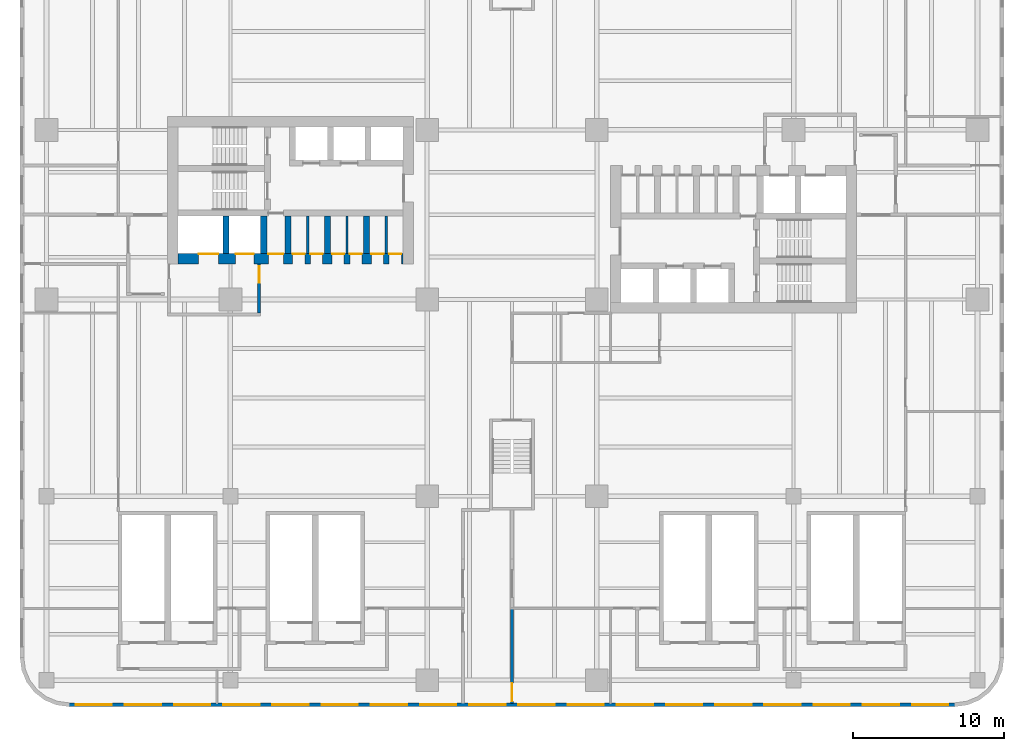
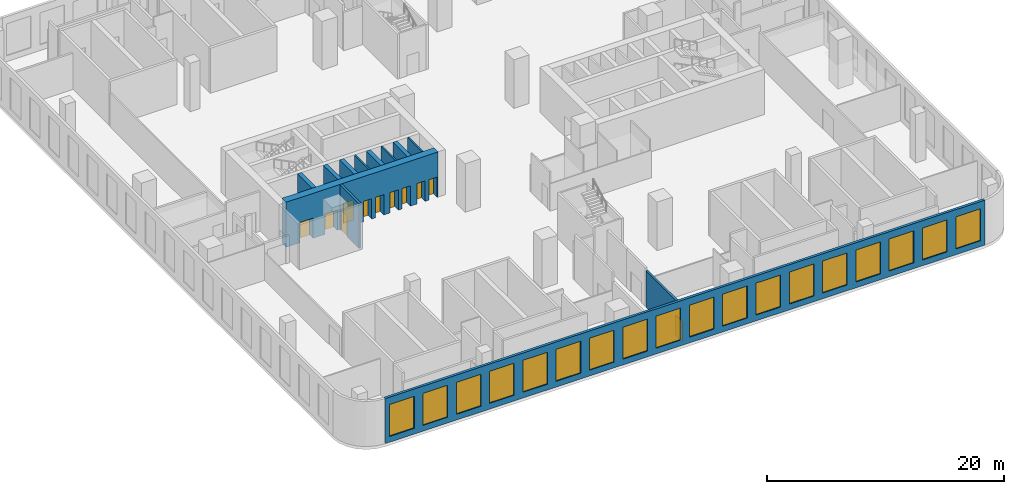
# One storey, part 5 of 13: 18 windows, 12 walls, 11 doors, 29 openings.
"""IFC4 building model written with IfcOpenShell, lengths in metres."""

from ifc_helpers import new_model, si_unit, direction, frame, frame_2d, origin, place, context, subcontext, project, spatial, rectangle, extrude, source, transform, mapped, material, layer, layer_set, type_object, element, fill, save


model = new_model("IFC4")

# Units and contexts
model_context = context("Model", 3, precision=1e-05, world=origin(), true_north=direction((0.0, 1.0)))
body_context = subcontext(model_context, "Body", "Model", "MODEL_VIEW")
ifc_project = project(units=[si_unit("LENGTHUNIT", "METRE"), si_unit("AREAUNIT", "SQUARE_METRE"), si_unit("VOLUMEUNIT", "CUBIC_METRE"), si_unit("PLANEANGLEUNIT", "RADIAN"), si_unit("MASSUNIT", "GRAM", prefix="KILO")], contexts=[model_context])

# Site, building, storey
site_placement = place(None, origin())
site = spatial("IfcSite", under=ifc_project, at=site_placement, CompositionType="ELEMENT")
building_placement = place(site_placement, origin())
building = spatial("IfcBuilding", under=site, at=building_placement, Name="Trellis Farm Tower", CompositionType="ELEMENT")
storey_placement = place(building_placement, frame((0.0, 0.0, 29.0)))
storey = spatial("IfcBuildingStorey", under=building, at=storey_placement, Name="L05", CompositionType="ELEMENT", Elevation=29.0)

# Walls
ifc_material_1 = material(Name="Concrete C80/95", Category="concrete")
ifc_layer_1 = layer(ifc_material_1, 0.39990234375)
ifc_layer_set_1 = layer_set([ifc_layer_1], Name="CORE INNER WALL 400 CONCRETE C80/95")
wall_type_1 = type_object("IfcWallType", Name="CORE INNER WALL 400 CONCRETE C80/95", PredefinedType="SHEAR", material=ifc_layer_set_1)
shared_shape_1 = source(origin(), body_context, "Body", "SweptSolid", [
    extrude(rectangle(XDim=2.449951171875, YDim=0.39990234375, at=frame_2d((1.22509765625, 0.0))), origin(), (0.0, 0.0, 1.0), 4.64990234375),
])
for number, where, z_axis, x_axis, name in (
    (1, (-9.60009765625, -0.10009765625, 0.0), (0.0, 0.0, 1.0), (0.0, -1.0, 0.0), "Core wall"),
    (2, (-12.199951171875, -0.10009765625, 0.0), (0.0, 0.0, 1.0), (0.0, -1.0, 0.0), "Core wall"),
    (3, (-14.800048828125, -0.10009765625, 0.0), (0.0, 0.0, 1.0), (0.0, -1.0, 0.0), "Core wall"),
    (4, (-16.39990234375, -0.10009765625, 0.0), (0.0, 0.0, 1.0), (0.0, -1.0, 0.0), "Core wall"),
    (5, (-18.89990234375, -0.10009765625, 0.0), (0.0, 0.0, 1.0), (0.0, -1.0, 0.0), "Core wall"),
):
    element("IfcWall", number, at=place(storey_placement, frame(where, z_axis=z_axis, x_axis=x_axis)), inside=storey, type_object=wall_type_1, Name=name, PredefinedType="SHEAR", context=body_context, shape_type="MappedRepresentation", body=[
        mapped(shared_shape_1, transform((0.0, 0.0, 0.0))),
    ])

# Wall, opening, door
ifc_material_2 = material(Name="Masonry blockwork", Category="masonry")
ifc_layer_2 = layer(ifc_material_2, 0.199951171875)
ifc_layer_set_2 = layer_set([ifc_layer_2], Name="FIRE LOBBY PARTITION 200 BLOCKWORK")
wall_type_2 = type_object("IfcWallType", Name="FIRE LOBBY PARTITION 200 BLOCKWORK", PredefinedType="PARTITIONING", material=ifc_layer_set_2)
shared_shape_2 = source(origin(), body_context, "Body", "SweptSolid", [
    extrude(rectangle(XDim=3.25, YDim=0.199951171875, at=frame_2d((1.625, 0.0))), origin(), (0.0, 0.0, 1.0), 4.64990234375),
])
wall_1_placement = place(storey_placement, frame((-16.699951171875, -3.25, 0.0), z_axis=(0.0, 0.0, 1.0), x_axis=(0.0, -1.0, 0.0)))
wall_1 = element("IfcWall", 6, at=wall_1_placement, inside=storey, type_object=wall_type_2, Name="Fire-fighting lobby partition", PredefinedType="PARTITIONING", context=body_context, shape_type="MappedRepresentation", body=[
    mapped(shared_shape_2, transform((0.0, 0.0, 0.0))),
])
shared_shape_3 = source(origin(), body_context, "Body", "SweptSolid", [
    extrude(rectangle(XDim=1.10009765625, YDim=2.10009765625, at=frame_2d((0.550048828125, 1.050048828125))), frame((0.0, 0.110107421875, 0.0), z_axis=(0.0, -1.0, 0.0), x_axis=(1.0, 0.0, 0.0)), (0.0, 0.0, 1.0), 0.22021484375),
])
opening_1_placement = place(wall_1_placement, frame((0.14990234375, 0.0, 0.0)))
opening_1 = element("IfcOpeningElement", 7, at=opening_1_placement, cuts=wall_1, Name="Opening DC93", PredefinedType="OPENING", context=body_context, shape_type="MappedRepresentation", body=[
    mapped(shared_shape_3, transform((0.0, 0.0, 0.0))),
])
ifc_material_3 = material(Name="Steel", Category="steel")
door_type_1 = type_object("IfcDoorType", Name="CORE FIRE DOOR 1100 X 2100", OperationType="NOTDEFINED", PredefinedType="DOOR", material=ifc_material_3)
shared_shape_4 = source(origin(), body_context, "Body", "SweptSolid", [
    extrude(rectangle(XDim=1.10009765625, YDim=2.10009765625, at=frame_2d((0.550048828125, 1.050048828125))), frame((0.0, 0.02490234375, 0.0), z_axis=(0.0, -1.0, 0.0), x_axis=(1.0, 0.0, 0.0)), (0.0, 0.0, 1.0), 0.050048828125),
])
door_1_placement = place(opening_1_placement, origin())
door_1 = element("IfcDoor", 8, at=door_1_placement, inside=storey, type_object=door_type_1, Name="Core door", OperationType="SINGLE_SWING_RIGHT", OverallHeight=2.10009765625, OverallWidth=1.10009765625, PredefinedType="DOOR", context=body_context, shape_type="MappedRepresentation", body=[
    mapped(shared_shape_4, transform((0.0, 0.0, 0.0))),
])
fill(opening_1, door_1)

# Walls
ifc_layer_3 = layer(ifc_material_2, 0.14990234375)
ifc_layer_set_3 = layer_set([ifc_layer_3], Name="CORE PARTITION 150 BLOCKWORK")
wall_type_3 = type_object("IfcWallType", Name="CORE PARTITION 150 BLOCKWORK", PredefinedType="PARTITIONING", material=ifc_layer_set_3)
shared_shape_5 = source(origin(), body_context, "Body", "SweptSolid", [
    extrude(rectangle(XDim=2.449951171875, YDim=0.14990234375, at=frame_2d((1.22509765625, 0.0))), origin(), (0.0, 0.0, 1.0), 4.64990234375),
])
for number, where, z_axis, x_axis, name in (
    (9, (-8.300048828125, -0.10009765625, 0.0), (0.0, 0.0, 1.0), (0.0, -1.0, 0.0), "Core room partition"),
    (10, (-10.89990234375, -0.10009765625, 0.0), (0.0, 0.0, 1.0), (0.0, -1.0, 0.0), "Core room partition"),
    (11, (-13.5, -0.10009765625, 0.0), (0.0, 0.0, 1.0), (0.0, -1.0, 0.0), "Core room partition"),
):
    element("IfcWall", number, at=place(storey_placement, frame(where, z_axis=z_axis, x_axis=x_axis)), inside=storey, type_object=wall_type_3, Name=name, PredefinedType="PARTITIONING", context=body_context, shape_type="MappedRepresentation", body=[
        mapped(shared_shape_5, transform((0.0, 0.0, 0.0))),
    ])

# Wall, openings, doors
ifc_layer_4 = layer(ifc_material_1, 0.699951171875)
ifc_layer_set_4 = layer_set([ifc_layer_4], Name="CORE OUTER WALL 700 CONCRETE C80/95")
wall_type_4 = type_object("IfcWallType", Name="CORE OUTER WALL 700 CONCRETE C80/95", PredefinedType="SHEAR", material=ifc_layer_set_4)
shared_shape_6 = source(origin(), body_context, "Body", "SweptSolid", [
    extrude(rectangle(XDim=14.85009765625, YDim=0.699951171875, at=frame_2d((7.425048828125, 0.0))), origin(), (0.0, 0.0, 1.0), 4.64990234375),
])
wall_2_placement = place(storey_placement, frame((-7.199951171875, -2.89990234375, 0.0), z_axis=(0.0, 0.0, 1.0), x_axis=(-1.0, 0.0, 0.0)))
wall_2 = element("IfcWall", 12, at=wall_2_placement, inside=storey, type_object=wall_type_4, Name="Core wall", PredefinedType="SHEAR", context=body_context, shape_type="MappedRepresentation", body=[
    mapped(shared_shape_6, transform((0.0, 0.0, 0.0))),
])
shared_shape_7 = source(origin(), body_context, "Body", "SweptSolid", [
    extrude(rectangle(XDim=1.300048828125, YDim=2.10009765625, at=frame_2d((0.64990234375, 1.050048828125))), frame((0.0, 0.360107421875, 0.0), z_axis=(0.0, -1.0, 0.0), x_axis=(1.0, 0.0, 0.0)), (0.0, 0.0, 1.0), 0.72021484375),
])
opening_2_placement = place(wall_2_placement, frame((12.199951171875, 0.0, 0.0)))
opening_2 = element("IfcOpeningElement", 13, at=opening_2_placement, cuts=wall_2, Name="Opening LD15", PredefinedType="OPENING", context=body_context, shape_type="MappedRepresentation", body=[
    mapped(shared_shape_7, transform((0.0, 0.0, 0.0))),
])
shared_shape_8 = source(origin(), body_context, "Body", "SweptSolid", [
    extrude(rectangle(XDim=1.199951171875, YDim=2.10009765625, at=frame_2d((0.60009765625, 1.050048828125))), frame((0.0, 0.360107421875, 0.0), z_axis=(0.0, -1.0, 0.0), x_axis=(1.0, 0.0, 0.0)), (0.0, 0.0, 1.0), 0.72021484375),
])
opening_3_placement = place(wall_2_placement, frame((9.85009765625, 0.0, 0.0)))
opening_3 = element("IfcOpeningElement", 14, at=opening_3_placement, cuts=wall_2, Name="Opening LD16", PredefinedType="OPENING", context=body_context, shape_type="MappedRepresentation", body=[
    mapped(shared_shape_8, transform((0.0, 0.0, 0.0))),
])
shared_shape_9 = source(origin(), body_context, "Body", "SweptSolid", [
    extrude(rectangle(XDim=1.0, YDim=2.10009765625, at=frame_2d((0.5, 1.050048828125))), frame((0.0, 0.360107421875, 0.0), z_axis=(0.0, -1.0, 0.0), x_axis=(1.0, 0.0, 0.0)), (0.0, 0.0, 1.0), 0.72021484375),
])
opening_4_placement = place(wall_2_placement, frame((7.89990234375, 0.0, 0.0)))
opening_4 = element("IfcOpeningElement", 15, at=opening_4_placement, cuts=wall_2, Name="Opening DC92", PredefinedType="OPENING", context=body_context, shape_type="MappedRepresentation", body=[
    mapped(shared_shape_9, transform((0.0, 0.0, 0.0))),
])
shared_shape_10 = source(origin(), body_context, "Body", "SweptSolid", [
    extrude(rectangle(XDim=0.800048828125, YDim=2.10009765625, at=frame_2d((0.39990234375, 1.050048828125))), frame((0.0, 0.360107421875, 0.0), z_axis=(0.0, -1.0, 0.0), x_axis=(1.0, 0.0, 0.0)), (0.0, 0.0, 1.0), 0.72021484375),
])
opening_5_placement = place(wall_2_placement, frame((0.112548828125, 0.0, 0.0)))
opening_5 = element("IfcOpeningElement", 16, at=opening_5_placement, cuts=wall_2, Name="Opening DC95", PredefinedType="OPENING", context=body_context, shape_type="MappedRepresentation", body=[
    mapped(shared_shape_10, transform((0.0, 0.0, 0.0))),
])
opening_6_placement = place(wall_2_placement, frame((1.28759765625, 0.0, 0.0)))
opening_6 = element("IfcOpeningElement", 17, at=opening_6_placement, cuts=wall_2, Name="Opening DC102", PredefinedType="OPENING", context=body_context, shape_type="MappedRepresentation", body=[
    mapped(shared_shape_10, transform((0.0, 0.0, 0.0))),
])
opening_7_placement = place(wall_2_placement, frame((2.71240234375, 0.0, 0.0)))
opening_7 = element("IfcOpeningElement", 18, at=opening_7_placement, cuts=wall_2, Name="Opening DC107", PredefinedType="OPENING", context=body_context, shape_type="MappedRepresentation", body=[
    mapped(shared_shape_10, transform((0.0, 0.0, 0.0))),
])
opening_8_placement = place(wall_2_placement, frame((3.887451171875, 0.0, 0.0)))
opening_8 = element("IfcOpeningElement", 19, at=opening_8_placement, cuts=wall_2, Name="Opening DC114", PredefinedType="OPENING", context=body_context, shape_type="MappedRepresentation", body=[
    mapped(shared_shape_10, transform((0.0, 0.0, 0.0))),
])
opening_9_placement = place(wall_2_placement, frame((5.3125, 0.0, 0.0)))
opening_9 = element("IfcOpeningElement", 20, at=opening_9_placement, cuts=wall_2, Name="Opening DC119", PredefinedType="OPENING", context=body_context, shape_type="MappedRepresentation", body=[
    mapped(shared_shape_10, transform((0.0, 0.0, 0.0))),
])
opening_10_placement = place(wall_2_placement, frame((6.487548828125, 0.0, 0.0)))
opening_10 = element("IfcOpeningElement", 21, at=opening_10_placement, cuts=wall_2, Name="Opening DC126", PredefinedType="OPENING", context=body_context, shape_type="MappedRepresentation", body=[
    mapped(shared_shape_10, transform((0.0, 0.0, 0.0))),
])
door_type_2 = type_object("IfcDoorType", Name="CORE FIRE DOOR 1000 X 2100", OperationType="NOTDEFINED", PredefinedType="DOOR", material=ifc_material_3)
shared_shape_11 = source(origin(), body_context, "Body", "SweptSolid", [
    extrude(rectangle(XDim=1.0, YDim=2.10009765625, at=frame_2d((0.5, 1.050048828125))), frame((0.0, -0.27490234375, 0.0), z_axis=(0.0, -1.0, 0.0), x_axis=(1.0, 0.0, 0.0)), (0.0, 0.0, 1.0), 0.050048828125),
])
door_2_placement = place(opening_4_placement, origin())
door_2 = element("IfcDoor", 22, at=door_2_placement, inside=storey, type_object=door_type_2, Name="Core door", OperationType="SINGLE_SWING_LEFT", OverallHeight=2.10009765625, OverallWidth=1.0, PredefinedType="DOOR", context=body_context, shape_type="MappedRepresentation", body=[
    mapped(shared_shape_11, transform((0.0, 0.0, 0.0))),
])
fill(opening_4, door_2)
ifc_material_4 = material(Name="Stainless steel", Category="steel")
door_type_3 = type_object("IfcDoorType", Name="LIFT LANDING DOOR 1300 X 2100", OperationType="DOUBLE_DOOR_SLIDING", PredefinedType="DOOR", material=ifc_material_4)
shared_shape_12 = source(origin(), body_context, "Body", "SweptSolid", [
    extrude(rectangle(XDim=1.300048828125, YDim=2.10009765625, at=frame_2d((0.64990234375, 1.050048828125))), frame((0.0, -0.27490234375, 0.0), z_axis=(0.0, -1.0, 0.0), x_axis=(1.0, 0.0, 0.0)), (0.0, 0.0, 1.0), 0.050048828125),
])
door_3_placement = place(opening_2_placement, origin())
door_3 = element("IfcDoor", 23, at=door_3_placement, inside=storey, type_object=door_type_3, Name="Lift landing door", OperationType="DOUBLE_DOOR_SLIDING", OverallHeight=2.10009765625, OverallWidth=1.300048828125, PredefinedType="DOOR", context=body_context, shape_type="MappedRepresentation", body=[
    mapped(shared_shape_12, transform((0.0, 0.0, 0.0))),
])
fill(opening_2, door_3)
door_type_4 = type_object("IfcDoorType", Name="LIFT LANDING DOOR 1200 X 2100", OperationType="DOUBLE_DOOR_SLIDING", PredefinedType="DOOR", material=ifc_material_4)
shared_shape_13 = source(origin(), body_context, "Body", "SweptSolid", [
    extrude(rectangle(XDim=1.199951171875, YDim=2.10009765625, at=frame_2d((0.60009765625, 1.050048828125))), frame((0.0, -0.27490234375, 0.0), z_axis=(0.0, -1.0, 0.0), x_axis=(1.0, 0.0, 0.0)), (0.0, 0.0, 1.0), 0.050048828125),
])
door_4_placement = place(opening_3_placement, origin())
door_4 = element("IfcDoor", 24, at=door_4_placement, inside=storey, type_object=door_type_4, Name="Lift landing door", OperationType="DOUBLE_DOOR_SLIDING", OverallHeight=2.10009765625, OverallWidth=1.199951171875, PredefinedType="DOOR", context=body_context, shape_type="MappedRepresentation", body=[
    mapped(shared_shape_13, transform((0.0, 0.0, 0.0))),
])
fill(opening_3, door_4)
door_type_5 = type_object("IfcDoorType", Name="CORE FIRE DOOR 800 X 2100", OperationType="NOTDEFINED", PredefinedType="DOOR", material=ifc_material_3)
shared_shape_14 = source(origin(), body_context, "Body", "SweptSolid", [
    extrude(rectangle(XDim=0.800048828125, YDim=2.10009765625, at=frame_2d((0.39990234375, 1.050048828125))), frame((0.0, -0.27490234375, 0.0), z_axis=(0.0, -1.0, 0.0), x_axis=(1.0, 0.0, 0.0)), (0.0, 0.0, 1.0), 0.050048828125),
])
door_5_placement = place(opening_5_placement, origin())
door_5 = element("IfcDoor", 25, at=door_5_placement, inside=storey, type_object=door_type_5, Name="Core door", OperationType="SINGLE_SWING_LEFT", OverallHeight=2.10009765625, OverallWidth=0.800048828125, PredefinedType="DOOR", context=body_context, shape_type="MappedRepresentation", body=[
    mapped(shared_shape_14, transform((0.0, 0.0, 0.0))),
])
fill(opening_5, door_5)
door_6_placement = place(opening_6_placement, origin())
door_6 = element("IfcDoor", 26, at=door_6_placement, inside=storey, type_object=door_type_5, Name="Core door", OperationType="SINGLE_SWING_RIGHT", OverallHeight=2.10009765625, OverallWidth=0.800048828125, PredefinedType="DOOR", context=body_context, shape_type="MappedRepresentation", body=[
    mapped(shared_shape_14, transform((0.0, 0.0, 0.0))),
])
fill(opening_6, door_6)
door_7_placement = place(opening_7_placement, origin())
door_7 = element("IfcDoor", 27, at=door_7_placement, inside=storey, type_object=door_type_5, Name="Core door", OperationType="SINGLE_SWING_LEFT", OverallHeight=2.10009765625, OverallWidth=0.800048828125, PredefinedType="DOOR", context=body_context, shape_type="MappedRepresentation", body=[
    mapped(shared_shape_14, transform((0.0, 0.0, 0.0))),
])
fill(opening_7, door_7)
door_8_placement = place(opening_8_placement, origin())
door_8 = element("IfcDoor", 28, at=door_8_placement, inside=storey, type_object=door_type_5, Name="Core door", OperationType="SINGLE_SWING_RIGHT", OverallHeight=2.10009765625, OverallWidth=0.800048828125, PredefinedType="DOOR", context=body_context, shape_type="MappedRepresentation", body=[
    mapped(shared_shape_14, transform((0.0, 0.0, 0.0))),
])
fill(opening_8, door_8)
door_9_placement = place(opening_9_placement, origin())
door_9 = element("IfcDoor", 29, at=door_9_placement, inside=storey, type_object=door_type_5, Name="Core door", OperationType="SINGLE_SWING_LEFT", OverallHeight=2.10009765625, OverallWidth=0.800048828125, PredefinedType="DOOR", context=body_context, shape_type="MappedRepresentation", body=[
    mapped(shared_shape_14, transform((0.0, 0.0, 0.0))),
])
fill(opening_9, door_9)
door_10_placement = place(opening_10_placement, origin())
door_10 = element("IfcDoor", 30, at=door_10_placement, inside=storey, type_object=door_type_5, Name="Core door", OperationType="SINGLE_SWING_RIGHT", OverallHeight=2.10009765625, OverallWidth=0.800048828125, PredefinedType="DOOR", context=body_context, shape_type="MappedRepresentation", body=[
    mapped(shared_shape_14, transform((0.0, 0.0, 0.0))),
])
fill(opening_10, door_10)

# Wall, openings, windows
ifc_material_5 = material(Name="Sandstone faced insulated wall", Category="masonry")
ifc_layer_5 = layer(ifc_material_5, 0.25)
ifc_layer_set_5 = layer_set([ifc_layer_5], Name="STONE CLAD EXTERNAL WALL 250")
wall_type_5 = type_object("IfcWallType", Name="STONE CLAD EXTERNAL WALL 250", PredefinedType="SOLIDWALL", material=ifc_layer_set_5)
shared_shape_15 = source(origin(), body_context, "Body", "SweptSolid", [
    extrude(rectangle(XDim=58.5, YDim=0.25, at=frame_2d((29.25, 0.0))), origin(), (0.0, 0.0, 1.0), 4.64990234375),
])
wall_3_placement = place(storey_placement, frame((-29.25, -32.375, 0.0), z_axis=(0.0, 0.0, 1.0), x_axis=(1.0, 0.0, 0.0)))
wall_3 = element("IfcWall", 31, at=wall_3_placement, inside=storey, type_object=wall_type_5, Name="EW5 F04", PredefinedType="SOLIDWALL", context=body_context, shape_type="MappedRepresentation", body=[
    mapped(shared_shape_15, transform((0.0, 0.0, 0.0))),
])
shared_shape_16 = source(origin(), body_context, "Body", "SweptSolid", [
    extrude(rectangle(XDim=2.39990234375, YDim=3.300048828125, at=frame_2d((1.199951171875, 1.64990234375))), frame((0.0, 0.135009765625, 0.0), z_axis=(0.0, -1.0, 0.0), x_axis=(1.0, 0.0, 0.0)), (0.0, 0.0, 1.0), 0.27001953125),
])
opening_11_placement = place(wall_3_placement, frame((0.425048828125, 0.0, 0.60009765625)))
opening_11 = element("IfcOpeningElement", 32, at=opening_11_placement, cuts=wall_3, Name="Opening WN3", PredefinedType="OPENING", context=body_context, shape_type="MappedRepresentation", body=[
    mapped(shared_shape_16, transform((0.0, 0.0, 0.0))),
])
opening_12_placement = place(wall_3_placement, frame((3.675048828125, 0.0, 0.60009765625)))
opening_12 = element("IfcOpeningElement", 33, at=opening_12_placement, cuts=wall_3, Name="Opening WN3", PredefinedType="OPENING", context=body_context, shape_type="MappedRepresentation", body=[
    mapped(shared_shape_16, transform((0.0, 0.0, 0.0))),
])
opening_13_placement = place(wall_3_placement, frame((6.925048828125, 0.0, 0.60009765625)))
opening_13 = element("IfcOpeningElement", 34, at=opening_13_placement, cuts=wall_3, Name="Opening WN3", PredefinedType="OPENING", context=body_context, shape_type="MappedRepresentation", body=[
    mapped(shared_shape_16, transform((0.0, 0.0, 0.0))),
])
opening_14_placement = place(wall_3_placement, frame((10.175048828125, 0.0, 0.60009765625)))
opening_14 = element("IfcOpeningElement", 35, at=opening_14_placement, cuts=wall_3, Name="Opening WN3", PredefinedType="OPENING", context=body_context, shape_type="MappedRepresentation", body=[
    mapped(shared_shape_16, transform((0.0, 0.0, 0.0))),
])
opening_15_placement = place(wall_3_placement, frame((13.425048828125, 0.0, 0.60009765625)))
opening_15 = element("IfcOpeningElement", 36, at=opening_15_placement, cuts=wall_3, Name="Opening WN3", PredefinedType="OPENING", context=body_context, shape_type="MappedRepresentation", body=[
    mapped(shared_shape_16, transform((0.0, 0.0, 0.0))),
])
opening_16_placement = place(wall_3_placement, frame((16.675048828125, 0.0, 0.60009765625)))
opening_16 = element("IfcOpeningElement", 37, at=opening_16_placement, cuts=wall_3, Name="Opening WN3", PredefinedType="OPENING", context=body_context, shape_type="MappedRepresentation", body=[
    mapped(shared_shape_16, transform((0.0, 0.0, 0.0))),
])
opening_17_placement = place(wall_3_placement, frame((19.925048828125, 0.0, 0.60009765625)))
opening_17 = element("IfcOpeningElement", 38, at=opening_17_placement, cuts=wall_3, Name="Opening WN3", PredefinedType="OPENING", context=body_context, shape_type="MappedRepresentation", body=[
    mapped(shared_shape_16, transform((0.0, 0.0, 0.0))),
])
opening_18_placement = place(wall_3_placement, frame((23.175048828125, 0.0, 0.60009765625)))
opening_18 = element("IfcOpeningElement", 39, at=opening_18_placement, cuts=wall_3, Name="Opening WN3", PredefinedType="OPENING", context=body_context, shape_type="MappedRepresentation", body=[
    mapped(shared_shape_16, transform((0.0, 0.0, 0.0))),
])
opening_19_placement = place(wall_3_placement, frame((26.425048828125, 0.0, 0.60009765625)))
opening_19 = element("IfcOpeningElement", 40, at=opening_19_placement, cuts=wall_3, Name="Opening WN3", PredefinedType="OPENING", context=body_context, shape_type="MappedRepresentation", body=[
    mapped(shared_shape_16, transform((0.0, 0.0, 0.0))),
])
opening_20_placement = place(wall_3_placement, frame((29.675048828125, 0.0, 0.60009765625)))
opening_20 = element("IfcOpeningElement", 41, at=opening_20_placement, cuts=wall_3, Name="Opening WN3", PredefinedType="OPENING", context=body_context, shape_type="MappedRepresentation", body=[
    mapped(shared_shape_16, transform((0.0, 0.0, 0.0))),
])
opening_21_placement = place(wall_3_placement, frame((32.925048828125, 0.0, 0.60009765625)))
opening_21 = element("IfcOpeningElement", 42, at=opening_21_placement, cuts=wall_3, Name="Opening WN3", PredefinedType="OPENING", context=body_context, shape_type="MappedRepresentation", body=[
    mapped(shared_shape_16, transform((0.0, 0.0, 0.0))),
])
opening_22_placement = place(wall_3_placement, frame((36.175048828125, 0.0, 0.60009765625)))
opening_22 = element("IfcOpeningElement", 43, at=opening_22_placement, cuts=wall_3, Name="Opening WN3", PredefinedType="OPENING", context=body_context, shape_type="MappedRepresentation", body=[
    mapped(shared_shape_16, transform((0.0, 0.0, 0.0))),
])
opening_23_placement = place(wall_3_placement, frame((39.425048828125, 0.0, 0.60009765625)))
opening_23 = element("IfcOpeningElement", 44, at=opening_23_placement, cuts=wall_3, Name="Opening WN3", PredefinedType="OPENING", context=body_context, shape_type="MappedRepresentation", body=[
    mapped(shared_shape_16, transform((0.0, 0.0, 0.0))),
])
opening_24_placement = place(wall_3_placement, frame((42.675048828125, 0.0, 0.60009765625)))
opening_24 = element("IfcOpeningElement", 45, at=opening_24_placement, cuts=wall_3, Name="Opening WN3", PredefinedType="OPENING", context=body_context, shape_type="MappedRepresentation", body=[
    mapped(shared_shape_16, transform((0.0, 0.0, 0.0))),
])
opening_25_placement = place(wall_3_placement, frame((45.925048828125, 0.0, 0.60009765625)))
opening_25 = element("IfcOpeningElement", 46, at=opening_25_placement, cuts=wall_3, Name="Opening WN3", PredefinedType="OPENING", context=body_context, shape_type="MappedRepresentation", body=[
    mapped(shared_shape_16, transform((0.0, 0.0, 0.0))),
])
opening_26_placement = place(wall_3_placement, frame((49.175048828125, 0.0, 0.60009765625)))
opening_26 = element("IfcOpeningElement", 47, at=opening_26_placement, cuts=wall_3, Name="Opening WN3", PredefinedType="OPENING", context=body_context, shape_type="MappedRepresentation", body=[
    mapped(shared_shape_16, transform((0.0, 0.0, 0.0))),
])
opening_27_placement = place(wall_3_placement, frame((52.425048828125, 0.0, 0.60009765625)))
opening_27 = element("IfcOpeningElement", 48, at=opening_27_placement, cuts=wall_3, Name="Opening WN3", PredefinedType="OPENING", context=body_context, shape_type="MappedRepresentation", body=[
    mapped(shared_shape_16, transform((0.0, 0.0, 0.0))),
])
opening_28_placement = place(wall_3_placement, frame((55.675048828125, 0.0, 0.60009765625)))
opening_28 = element("IfcOpeningElement", 49, at=opening_28_placement, cuts=wall_3, Name="Opening WN3", PredefinedType="OPENING", context=body_context, shape_type="MappedRepresentation", body=[
    mapped(shared_shape_16, transform((0.0, 0.0, 0.0))),
])
ifc_material_6 = material(Name="Clear insulated glass", Category="glass")
window_type = type_object("IfcWindowType", Name="PODIUM WINDOW 2400x3300", PartitioningType="SINGLE_PANEL", PredefinedType="WINDOW", material=ifc_material_6)
shared_shape_17 = source(origin(), body_context, "Body", "SweptSolid", [
    extrude(rectangle(XDim=2.39990234375, YDim=3.300048828125, at=frame_2d((1.199951171875, 1.64990234375))), frame((0.0, 0.030029296875, 0.0), z_axis=(0.0, -1.0, 0.0), x_axis=(1.0, 0.0, 0.0)), (0.0, 0.0, 1.0), 0.06005859375),
])
window_1_placement = place(opening_11_placement, origin())
window_1 = element("IfcWindow", 50, at=window_1_placement, inside=storey, type_object=window_type, Name="WN3 055", OverallHeight=3.300048828125, OverallWidth=2.39990234375, PartitioningType="SINGLE_PANEL", PredefinedType="WINDOW", context=body_context, shape_type="MappedRepresentation", body=[
    mapped(shared_shape_17, transform((0.0, 0.0, 0.0))),
])
fill(opening_11, window_1)
window_2_placement = place(opening_12_placement, origin())
window_2 = element("IfcWindow", 51, at=window_2_placement, inside=storey, type_object=window_type, Name="WN3 056", OverallHeight=3.300048828125, OverallWidth=2.39990234375, PartitioningType="SINGLE_PANEL", PredefinedType="WINDOW", context=body_context, shape_type="MappedRepresentation", body=[
    mapped(shared_shape_17, transform((0.0, 0.0, 0.0))),
])
fill(opening_12, window_2)
window_3_placement = place(opening_13_placement, origin())
window_3 = element("IfcWindow", 52, at=window_3_placement, inside=storey, type_object=window_type, Name="WN3 057", OverallHeight=3.300048828125, OverallWidth=2.39990234375, PartitioningType="SINGLE_PANEL", PredefinedType="WINDOW", context=body_context, shape_type="MappedRepresentation", body=[
    mapped(shared_shape_17, transform((0.0, 0.0, 0.0))),
])
fill(opening_13, window_3)
window_4_placement = place(opening_14_placement, origin())
window_4 = element("IfcWindow", 53, at=window_4_placement, inside=storey, type_object=window_type, Name="WN3 058", OverallHeight=3.300048828125, OverallWidth=2.39990234375, PartitioningType="SINGLE_PANEL", PredefinedType="WINDOW", context=body_context, shape_type="MappedRepresentation", body=[
    mapped(shared_shape_17, transform((0.0, 0.0, 0.0))),
])
fill(opening_14, window_4)
window_5_placement = place(opening_15_placement, origin())
window_5 = element("IfcWindow", 54, at=window_5_placement, inside=storey, type_object=window_type, Name="WN3 059", OverallHeight=3.300048828125, OverallWidth=2.39990234375, PartitioningType="SINGLE_PANEL", PredefinedType="WINDOW", context=body_context, shape_type="MappedRepresentation", body=[
    mapped(shared_shape_17, transform((0.0, 0.0, 0.0))),
])
fill(opening_15, window_5)
window_6_placement = place(opening_16_placement, origin())
window_6 = element("IfcWindow", 55, at=window_6_placement, inside=storey, type_object=window_type, Name="WN3 060", OverallHeight=3.300048828125, OverallWidth=2.39990234375, PartitioningType="SINGLE_PANEL", PredefinedType="WINDOW", context=body_context, shape_type="MappedRepresentation", body=[
    mapped(shared_shape_17, transform((0.0, 0.0, 0.0))),
])
fill(opening_16, window_6)
window_7_placement = place(opening_17_placement, origin())
window_7 = element("IfcWindow", 56, at=window_7_placement, inside=storey, type_object=window_type, Name="WN3 061", OverallHeight=3.300048828125, OverallWidth=2.39990234375, PartitioningType="SINGLE_PANEL", PredefinedType="WINDOW", context=body_context, shape_type="MappedRepresentation", body=[
    mapped(shared_shape_17, transform((0.0, 0.0, 0.0))),
])
fill(opening_17, window_7)
window_8_placement = place(opening_18_placement, origin())
window_8 = element("IfcWindow", 57, at=window_8_placement, inside=storey, type_object=window_type, Name="WN3 062", OverallHeight=3.300048828125, OverallWidth=2.39990234375, PartitioningType="SINGLE_PANEL", PredefinedType="WINDOW", context=body_context, shape_type="MappedRepresentation", body=[
    mapped(shared_shape_17, transform((0.0, 0.0, 0.0))),
])
fill(opening_18, window_8)
window_9_placement = place(opening_19_placement, origin())
window_9 = element("IfcWindow", 58, at=window_9_placement, inside=storey, type_object=window_type, Name="WN3 063", OverallHeight=3.300048828125, OverallWidth=2.39990234375, PartitioningType="SINGLE_PANEL", PredefinedType="WINDOW", context=body_context, shape_type="MappedRepresentation", body=[
    mapped(shared_shape_17, transform((0.0, 0.0, 0.0))),
])
fill(opening_19, window_9)
window_10_placement = place(opening_20_placement, origin())
window_10 = element("IfcWindow", 59, at=window_10_placement, inside=storey, type_object=window_type, Name="WN3 064", OverallHeight=3.300048828125, OverallWidth=2.39990234375, PartitioningType="SINGLE_PANEL", PredefinedType="WINDOW", context=body_context, shape_type="MappedRepresentation", body=[
    mapped(shared_shape_17, transform((0.0, 0.0, 0.0))),
])
fill(opening_20, window_10)
window_11_placement = place(opening_21_placement, origin())
window_11 = element("IfcWindow", 60, at=window_11_placement, inside=storey, type_object=window_type, Name="WN3 065", OverallHeight=3.300048828125, OverallWidth=2.39990234375, PartitioningType="SINGLE_PANEL", PredefinedType="WINDOW", context=body_context, shape_type="MappedRepresentation", body=[
    mapped(shared_shape_17, transform((0.0, 0.0, 0.0))),
])
fill(opening_21, window_11)
window_12_placement = place(opening_22_placement, origin())
window_12 = element("IfcWindow", 61, at=window_12_placement, inside=storey, type_object=window_type, Name="WN3 066", OverallHeight=3.300048828125, OverallWidth=2.39990234375, PartitioningType="SINGLE_PANEL", PredefinedType="WINDOW", context=body_context, shape_type="MappedRepresentation", body=[
    mapped(shared_shape_17, transform((0.0, 0.0, 0.0))),
])
fill(opening_22, window_12)
window_13_placement = place(opening_23_placement, origin())
window_13 = element("IfcWindow", 62, at=window_13_placement, inside=storey, type_object=window_type, Name="WN3 067", OverallHeight=3.300048828125, OverallWidth=2.39990234375, PartitioningType="SINGLE_PANEL", PredefinedType="WINDOW", context=body_context, shape_type="MappedRepresentation", body=[
    mapped(shared_shape_17, transform((0.0, 0.0, 0.0))),
])
fill(opening_23, window_13)
window_14_placement = place(opening_24_placement, origin())
window_14 = element("IfcWindow", 63, at=window_14_placement, inside=storey, type_object=window_type, Name="WN3 068", OverallHeight=3.300048828125, OverallWidth=2.39990234375, PartitioningType="SINGLE_PANEL", PredefinedType="WINDOW", context=body_context, shape_type="MappedRepresentation", body=[
    mapped(shared_shape_17, transform((0.0, 0.0, 0.0))),
])
fill(opening_24, window_14)
window_15_placement = place(opening_25_placement, origin())
window_15 = element("IfcWindow", 64, at=window_15_placement, inside=storey, type_object=window_type, Name="WN3 069", OverallHeight=3.300048828125, OverallWidth=2.39990234375, PartitioningType="SINGLE_PANEL", PredefinedType="WINDOW", context=body_context, shape_type="MappedRepresentation", body=[
    mapped(shared_shape_17, transform((0.0, 0.0, 0.0))),
])
fill(opening_25, window_15)
window_16_placement = place(opening_26_placement, origin())
window_16 = element("IfcWindow", 65, at=window_16_placement, inside=storey, type_object=window_type, Name="WN3 070", OverallHeight=3.300048828125, OverallWidth=2.39990234375, PartitioningType="SINGLE_PANEL", PredefinedType="WINDOW", context=body_context, shape_type="MappedRepresentation", body=[
    mapped(shared_shape_17, transform((0.0, 0.0, 0.0))),
])
fill(opening_26, window_16)
window_17_placement = place(opening_27_placement, origin())
window_17 = element("IfcWindow", 66, at=window_17_placement, inside=storey, type_object=window_type, Name="WN3 071", OverallHeight=3.300048828125, OverallWidth=2.39990234375, PartitioningType="SINGLE_PANEL", PredefinedType="WINDOW", context=body_context, shape_type="MappedRepresentation", body=[
    mapped(shared_shape_17, transform((0.0, 0.0, 0.0))),
])
fill(opening_27, window_17)
window_18_placement = place(opening_28_placement, origin())
window_18 = element("IfcWindow", 67, at=window_18_placement, inside=storey, type_object=window_type, Name="WN3 072", OverallHeight=3.300048828125, OverallWidth=2.39990234375, PartitioningType="SINGLE_PANEL", PredefinedType="WINDOW", context=body_context, shape_type="MappedRepresentation", body=[
    mapped(shared_shape_17, transform((0.0, 0.0, 0.0))),
])
fill(opening_28, window_18)

# Wall, opening, door
ifc_material_7 = material(Name="Lightweight blockwork, plastered", Category="masonry")
ifc_layer_6 = layer(ifc_material_7, 0.199951171875)
ifc_layer_set_6 = layer_set([ifc_layer_6], Name="BLOCK WALL 200 EI 120")
wall_type_6 = type_object("IfcWallType", Name="BLOCK WALL 200 EI 120", PredefinedType="PARTITIONING", material=ifc_layer_set_6)
shared_shape_18 = source(origin(), body_context, "Body", "SweptSolid", [
    extrude(rectangle(XDim=6.237548828125, YDim=0.199951171875, at=frame_2d((3.11865234375, 0.0))), origin(), (0.0, 0.0, 1.0), 3.72998046875),
])
wall_4_placement = place(storey_placement, frame((0.0, -26.0625, 0.0), z_axis=(0.0, 0.0, 1.0), x_axis=(0.0, -1.0, 0.0)))
wall_4 = element("IfcWall", 68, at=wall_4_placement, inside=storey, type_object=wall_type_6, Name="Partition PW3", PredefinedType="PARTITIONING", context=body_context, shape_type="MappedRepresentation", body=[
    mapped(shared_shape_18, transform((0.0, 0.0, 0.0))),
])
shared_shape_19 = source(origin(), body_context, "Body", "SweptSolid", [
    extrude(rectangle(XDim=1.199951171875, YDim=2.10009765625, at=frame_2d((0.60009765625, 1.050048828125))), frame((0.0, 0.110107421875, 0.0), z_axis=(0.0, -1.0, 0.0), x_axis=(1.0, 0.0, 0.0)), (0.0, 0.0, 1.0), 0.22021484375),
])
opening_29_placement = place(wall_4_placement, frame((4.887451171875, 0.0, 0.0)))
opening_29 = element("IfcOpeningElement", 69, at=opening_29_placement, cuts=wall_4, Name="Opening D601", PredefinedType="OPENING", context=body_context, shape_type="MappedRepresentation", body=[
    mapped(shared_shape_19, transform((0.0, 0.0, 0.0))),
])
ifc_material_8 = material(Name="Fire-rated timber door leaf in a hollow metal frame", Category="wood")
door_type_6 = type_object("IfcDoorType", Name="DOOR 1200x2100 FD30S", OperationType="NOTDEFINED", PredefinedType="DOOR", material=ifc_material_8)
shared_shape_20 = source(origin(), body_context, "Body", "SweptSolid", [
    extrude(rectangle(XDim=1.199951171875, YDim=2.10009765625, at=frame_2d((0.60009765625, 1.050048828125))), frame((0.0, 0.02490234375, 0.0), z_axis=(0.0, -1.0, 0.0), x_axis=(1.0, 0.0, 0.0)), (0.0, 0.0, 1.0), 0.050048828125),
])
door_11_placement = place(opening_29_placement, origin())
door_11 = element("IfcDoor", 70, at=door_11_placement, inside=storey, type_object=door_type_6, Name="Door D601", OperationType="SINGLE_SWING_RIGHT", OverallHeight=2.10009765625, OverallWidth=1.199951171875, PredefinedType="DOOR", context=body_context, shape_type="MappedRepresentation", body=[
    mapped(shared_shape_20, transform((0.0, 0.0, 0.0))),
])
fill(opening_29, door_11)

save(model, "model.ifc")
